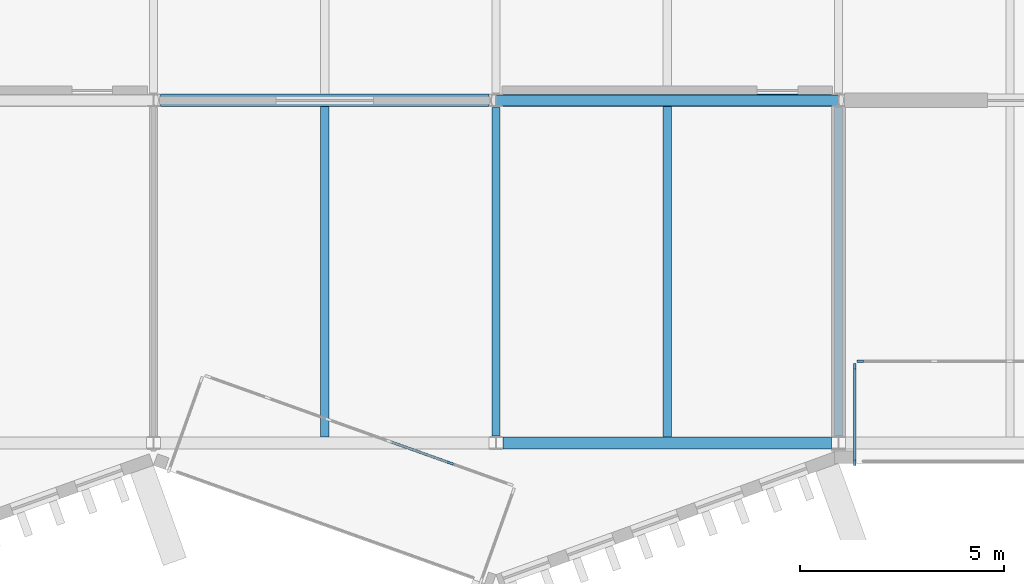
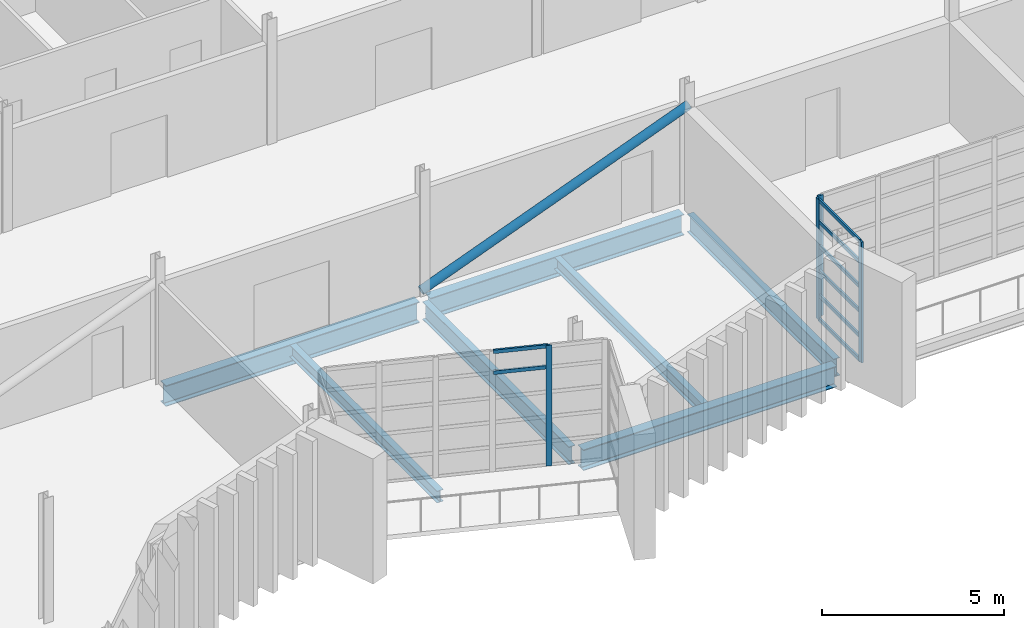
# One storey, part 27 of 100: 13 members, 7 beams, 3 elements without a shape of their own.
"""IFC4 building model written with IfcOpenShell, lengths in metres."""

from ifc_helpers import new_model, si_unit, direction, frame, origin, origin_2d, place, context, subcontext, project, spatial, rectangle, hollow_circle, i_section, extrude, material, layer, layer_set, material_profile, profile_set, type_object, element, aggregate, save


model = new_model("IFC4")

# Units and contexts
model_context = context("Model", 3, precision=1e-05, world=origin(), true_north=direction((0.0, 1.0)))
body_context = subcontext(model_context, "Body", "Model", "MODEL_VIEW")
ifc_project = project(units=[si_unit("LENGTHUNIT", "METRE"), si_unit("AREAUNIT", "SQUARE_METRE"), si_unit("VOLUMEUNIT", "CUBIC_METRE"), si_unit("PLANEANGLEUNIT", "RADIAN"), si_unit("MASSUNIT", "GRAM", prefix="KILO")], contexts=[model_context])

# Site, building, storey
site_placement = place(None, origin())
site = spatial("IfcSite", under=ifc_project, at=site_placement, CompositionType="ELEMENT")
building_placement = place(site_placement, origin())
building = spatial("IfcBuilding", under=site, at=building_placement, Name="Cresset Court Congress Hotel", CompositionType="ELEMENT")
storey_placement = place(building_placement, frame((0.0, 0.0, 10.199951171875)))
storey = spatial("IfcBuildingStorey", under=building, at=storey_placement, Name="L02", CompositionType="ELEMENT", Elevation=10.199951171875)

# Curtain wall, member
ifc_material_1 = material(Name="Aluminium frame with double glazing", Category="aluminium")
ifc_layer = layer(ifc_material_1, 0.199951171875)
ifc_layer_set = layer_set([ifc_layer], Name="Glazed box curtain wall 1680 module")
curtain_wall_type = type_object("IfcCurtainWallType", Name="Glazed box curtain wall 1680 module", PredefinedType="NOTDEFINED", material=ifc_layer_set)
curtain_wall_1_placement = place(storey_placement, origin())
curtain_wall_1 = element("IfcCurtainWall", 1, at=curtain_wall_1_placement, inside=storey, type_object=curtain_wall_type, Name="Glazed box S0219 front", PredefinedType="NOTDEFINED")
ifc_material_2 = material(Name="Aluminium", Category="aluminium")
ifc_material_profile_1 = material_profile(ifc_material_2, rectangle(XDim=0.06005859375, YDim=0.159912109375, at=origin_2d()), Name="Box mullion 60x160")
ifc_profile_set_1 = profile_set([ifc_material_profile_1], Name="Aluminium")
member_type_1 = type_object("IfcMemberType", Name="Box mullion 60x160", PredefinedType="MULLION", material=ifc_profile_set_1)
member_1_placement = place(storey_placement, frame((134.929931640625, 2.0, 0.0), z_axis=(0.0, 0.0, 1.0), x_axis=(0.0, 1.0, 0.0)))
member_1 = element("IfcMember", 2, at=member_1_placement, type_object=member_type_1, Name="B-X1 mullion 1", PredefinedType="MULLION", context=body_context, shape_type="SweptSolid", body=[
    extrude(rectangle(XDim=0.06005859375, YDim=0.159912109375, at=origin_2d()), origin(), (0.0, 0.0, 1.0), 4.050048828125),
])
aggregate(curtain_wall_1, [member_1])

# Curtain wall, members
curtain_wall_2_placement = place(storey_placement, origin())
curtain_wall_2 = element("IfcCurtainWall", 3, at=curtain_wall_2_placement, inside=storey, type_object=curtain_wall_type, Name="Glazed box S0219 side", PredefinedType="NOTDEFINED")
member_2_placement = place(storey_placement, frame((134.800048828125, -0.469970703125, 0.0), z_axis=(0.0, 0.0, 1.0), x_axis=(-1.0, 0.0, 0.0)))
member_2 = element("IfcMember", 4, at=member_2_placement, type_object=member_type_1, Name="B-X1 mullion 1", PredefinedType="MULLION", context=body_context, shape_type="SweptSolid", body=[
    extrude(rectangle(XDim=0.06005859375, YDim=0.159912109375, at=origin_2d()), origin(), (0.0, 0.0, 1.0), 4.050048828125),
])
member_3_placement = place(storey_placement, frame((134.800048828125, 1.8701171875, 0.0), z_axis=(0.0, 0.0, 1.0), x_axis=(-1.0, 0.0, 0.0)))
member_3 = element("IfcMember", 5, at=member_3_placement, type_object=member_type_1, Name="B-X1 mullion 2", PredefinedType="MULLION", context=body_context, shape_type="SweptSolid", body=[
    extrude(rectangle(XDim=0.06005859375, YDim=0.159912109375, at=origin_2d()), origin(), (0.0, 0.0, 1.0), 4.050048828125),
])

# Curtain wall, member
curtain_wall_3_placement = place(storey_placement, origin())
curtain_wall_3 = element("IfcCurtainWall", 6, at=curtain_wall_3_placement, inside=storey, type_object=curtain_wall_type, Name="Glazed box S0216 front", PredefinedType="NOTDEFINED")
member_4_placement = place(storey_placement, frame((124.87841796875, -0.49462890625, 0.0), z_axis=(0.0, 0.0, 1.0), x_axis=(0.336336396981, 0.941741911601, 0.0)))
member_4 = element("IfcMember", 7, at=member_4_placement, type_object=member_type_1, Name="B-X1 mullion 5", PredefinedType="MULLION", context=body_context, shape_type="SweptSolid", body=[
    extrude(rectangle(XDim=0.06005859375, YDim=0.159912109375, at=origin_2d()), origin(), (0.0, 0.0, 1.0), 4.050048828125),
])

# Member
ifc_material_3 = material(Name="Aluminium", Category="aluminium")
ifc_material_profile_2 = material_profile(ifc_material_3, rectangle(XDim=0.06005859375, YDim=0.1201171875, at=origin_2d()), Name="Box transom 60x120")
ifc_profile_set_2 = profile_set([ifc_material_profile_2], Name="Aluminium")
member_type_2 = type_object("IfcMemberType", Name="Box transom 60x120", PredefinedType="USERDEFINED", material=ifc_profile_set_2)
member_5_placement = place(storey_placement, frame((134.800048828125, -0.43994140625, 0.030029296875), z_axis=(0.0, 1.0, 0.0), x_axis=(-1.0, 0.0, 0.0)))
member_5 = element("IfcMember", 8, at=member_5_placement, type_object=member_type_2, Name="B-X1 transom 1.1", ObjectType="TRANSOM", PredefinedType="USERDEFINED", context=body_context, shape_type="SweptSolid", body=[
    extrude(rectangle(XDim=0.06005859375, YDim=0.1201171875, at=origin_2d()), origin(), (0.0, 0.0, 1.0), 2.280029296875),
])

member_6_placement = place(storey_placement, frame((134.800048828125, -0.43994140625, 0.830078125), z_axis=(0.0, 1.0, 0.0), x_axis=(-1.0, 0.0, 0.0)))
member_6 = element("IfcMember", 9, at=member_6_placement, type_object=member_type_2, Name="B-X1 transom 1.2", ObjectType="TRANSOM", PredefinedType="USERDEFINED", context=body_context, shape_type="SweptSolid", body=[
    extrude(rectangle(XDim=0.06005859375, YDim=0.1201171875, at=origin_2d()), origin(), (0.0, 0.0, 1.0), 2.280029296875),
])

member_7_placement = place(storey_placement, frame((134.800048828125, -0.43994140625, 1.66015625), z_axis=(0.0, 1.0, 0.0), x_axis=(-1.0, 0.0, 0.0)))
member_7 = element("IfcMember", 10, at=member_7_placement, type_object=member_type_2, Name="B-X1 transom 1.3", ObjectType="TRANSOM", PredefinedType="USERDEFINED", context=body_context, shape_type="SweptSolid", body=[
    extrude(rectangle(XDim=0.06005859375, YDim=0.1201171875, at=origin_2d()), origin(), (0.0, 0.0, 1.0), 2.280029296875),
])

member_8_placement = place(storey_placement, frame((134.800048828125, -0.43994140625, 2.489990234375), z_axis=(0.0, 1.0, 0.0), x_axis=(-1.0, 0.0, 0.0)))
member_8 = element("IfcMember", 11, at=member_8_placement, type_object=member_type_2, Name="B-X1 transom 1.4", ObjectType="TRANSOM", PredefinedType="USERDEFINED", context=body_context, shape_type="SweptSolid", body=[
    extrude(rectangle(XDim=0.06005859375, YDim=0.1201171875, at=origin_2d()), origin(), (0.0, 0.0, 1.0), 2.280029296875),
])

member_9_placement = place(storey_placement, frame((134.800048828125, -0.43994140625, 3.320068359375), z_axis=(0.0, 1.0, 0.0), x_axis=(-1.0, 0.0, 0.0)))
member_9 = element("IfcMember", 12, at=member_9_placement, type_object=member_type_2, Name="B-X1 transom 1.5", ObjectType="TRANSOM", PredefinedType="USERDEFINED", context=body_context, shape_type="SweptSolid", body=[
    extrude(rectangle(XDim=0.06005859375, YDim=0.1201171875, at=origin_2d()), origin(), (0.0, 0.0, 1.0), 2.280029296875),
])

member_10_placement = place(storey_placement, frame((134.800048828125, -0.43994140625, 4.02001953125), z_axis=(0.0, 1.0, 0.0), x_axis=(-1.0, 0.0, 0.0)))
member_10 = element("IfcMember", 13, at=member_10_placement, type_object=member_type_2, Name="B-X1 transom 1.6", ObjectType="TRANSOM", PredefinedType="USERDEFINED", context=body_context, shape_type="SweptSolid", body=[
    extrude(rectangle(XDim=0.06005859375, YDim=0.1201171875, at=origin_2d()), origin(), (0.0, 0.0, 1.0), 2.280029296875),
])

aggregate(curtain_wall_2, [member_2, member_3, member_5, member_6, member_7, member_8, member_9, member_10])

member_11_placement = place(storey_placement, frame((123.4150390625, 0.02783203125, 3.320068359375), z_axis=(0.941756410009, -0.336295798675, 0.0), x_axis=(0.336295798675, 0.941756410009, 0.0)))
member_11 = element("IfcMember", 14, at=member_11_placement, type_object=member_type_2, Name="B-X1 transom 4.5", ObjectType="TRANSOM", PredefinedType="USERDEFINED", context=body_context, shape_type="SweptSolid", body=[
    extrude(rectangle(XDim=0.06005859375, YDim=0.1201171875, at=origin_2d()), origin(), (0.0, 0.0, 1.0), 1.52392578125),
])

member_12_placement = place(storey_placement, frame((123.4150390625, 0.02783203125, 4.02001953125), z_axis=(0.941756410009, -0.336295798675, 0.0), x_axis=(0.336295798675, 0.941756410009, 0.0)))
member_12 = element("IfcMember", 15, at=member_12_placement, type_object=member_type_2, Name="B-X1 transom 4.6", ObjectType="TRANSOM", PredefinedType="USERDEFINED", context=body_context, shape_type="SweptSolid", body=[
    extrude(rectangle(XDim=0.06005859375, YDim=0.1201171875, at=origin_2d()), origin(), (0.0, 0.0, 1.0), 1.52392578125),
])

aggregate(curtain_wall_3, [member_4, member_11, member_12])

# Beams
ifc_material_4 = material(Name="Structural steel Q355B", Category="steel")
ifc_material_profile_3 = material_profile(ifc_material_4, i_section(OverallWidth=0.199951171875, OverallDepth=0.60009765625, WebThickness=0.010986328125, FlangeThickness=0.01708984375, FilletRadius=0.012939453125, at=origin_2d()), Name="HN600x200x11x17")
ifc_profile_set_3 = profile_set([ifc_material_profile_3], Name="Structural steel Q355B")
beam_type_1 = type_object("IfcBeamType", Name="Steel beam HN600x200x11x17", PredefinedType="BEAM", material=ifc_profile_set_3)
for number, where, z_axis, x_axis, name in (
    (16, (126.0, 0.175048828125, -0.449951171875), (0.0, 1.0, 0.0), (-1.0, 0.0, 0.0), "B.by.L02.16A"),
    (17, (134.39990234375, 0.175048828125, -0.449951171875), (0.0, 1.0, 0.0), (-1.0, 0.0, 0.0), "B.by.L02.17A"),
):
    element("IfcBeam", number, at=place(storey_placement, frame(where, z_axis=z_axis, x_axis=x_axis)), inside=storey, type_object=beam_type_1, Name=name, PredefinedType="BEAM", context=body_context, shape_type="SweptSolid", body=[
        extrude(i_section(OverallWidth=0.199951171875, OverallDepth=0.60009765625, WebThickness=0.010986328125, FlangeThickness=0.01708984375, FilletRadius=0.012939453125, at=origin_2d()), origin(), (0.0, 0.0, 1.0), 8.050048828125),
    ])
ifc_material_5 = material(Name="Structural steel Q355B", Category="steel")
ifc_material_profile_4 = material_profile(ifc_material_5, i_section(OverallWidth=0.300048828125, OverallDepth=0.699951171875, WebThickness=0.012939453125, FlangeThickness=0.02392578125, FilletRadius=0.01806640625, at=origin_2d()), Name="HN700x300x13x24")
ifc_profile_set_4 = profile_set([ifc_material_profile_4], Name="Structural steel Q355B")
beam_type_2 = type_object("IfcBeamType", Name="Steel beam HN700x300x13x24", PredefinedType="BEAM", material=ifc_profile_set_4)
for number, where, z_axis, x_axis, name in (
    (18, (126.175048828125, 0.0, -0.5), (1.0, 0.0, 0.0), (0.0, 1.0, 0.0), "B.bx.L02.A16"),
    (19, (117.77490234375, 8.39990234375, -0.5), (1.0, 0.0, 0.0), (0.0, 1.0, 0.0), "B.bx.L02.B15"),
    (20, (126.175048828125, 8.39990234375, -0.5), (1.0, 0.0, 0.0), (0.0, 1.0, 0.0), "B.bx.L02.B16"),
):
    element("IfcBeam", number, at=place(storey_placement, frame(where, z_axis=z_axis, x_axis=x_axis)), inside=storey, type_object=beam_type_2, Name=name, PredefinedType="BEAM", context=body_context, shape_type="SweptSolid", body=[
        extrude(i_section(OverallWidth=0.300048828125, OverallDepth=0.699951171875, WebThickness=0.012939453125, FlangeThickness=0.02392578125, FilletRadius=0.01806640625, at=origin_2d()), origin(), (0.0, 0.0, 1.0), 8.050048828125),
    ])

# Member
ifc_material_6 = material(Name="Structural steel Q355B", Category="steel")
ifc_material_profile_5 = material_profile(ifc_material_6, hollow_circle(Radius=0.136474609375, WallThickness=0.011962890625, at=origin_2d()), Name="CHS273x12")
ifc_profile_set_5 = profile_set([ifc_material_profile_5], Name="Structural steel Q355B")
member_type_3 = type_object("IfcMemberType", Name="Steel brace CHS273x12", PredefinedType="BRACE", material=ifc_profile_set_5)
member_13_placement = place(storey_placement, frame((125.949951171875, 8.39990234375, 0.10009765625), z_axis=(0.933684557266, 0.0, 0.35809656173), x_axis=(0.0, 1.0, 0.0)))
element("IfcMember", 21, at=member_13_placement, inside=storey, type_object=member_type_3, Name="Brace L02 16", PredefinedType="BRACE", context=body_context, shape_type="SweptSolid", body=[
    extrude(hollow_circle(Radius=0.136474609375, WallThickness=0.011962890625, at=origin_2d()), origin(), (0.0, 0.0, 1.0), 9.103759765625),
])

# Beams
ifc_material_7 = material(Name="Structural steel Q355B", Category="steel")
ifc_material_profile_6 = material_profile(ifc_material_7, i_section(OverallWidth=0.199951171875, OverallDepth=0.39990234375, WebThickness=0.008056640625, FlangeThickness=0.012939453125, FilletRadius=0.01611328125, at=origin_2d()), Name="HN400x200x8x13")
ifc_profile_set_6 = profile_set([ifc_material_profile_6], Name="Structural steel Q355B")
beam_type_3 = type_object("IfcBeamType", Name="Steel joist HN400x200x8x13", PredefinedType="JOIST", material=ifc_profile_set_6)
for number, where, z_axis, x_axis, name in (
    (22, (121.800048828125, 0.14990234375, -0.349853515625), (0.0, 1.0, 0.0), (-1.0, 0.0, 0.0), "B.bj.L02.15A"),
    (23, (130.199951171875, 0.14990234375, -0.349853515625), (0.0, 1.0, 0.0), (-1.0, 0.0, 0.0), "B.bj.L02.16A"),
):
    element("IfcBeam", number, at=place(storey_placement, frame(where, z_axis=z_axis, x_axis=x_axis)), inside=storey, type_object=beam_type_3, Name=name, PredefinedType="JOIST", context=body_context, shape_type="SweptSolid", body=[
        extrude(i_section(OverallWidth=0.199951171875, OverallDepth=0.39990234375, WebThickness=0.008056640625, FlangeThickness=0.012939453125, FilletRadius=0.01611328125, at=origin_2d()), origin(), (0.0, 0.0, 1.0), 8.10009765625),
    ])

save(model, "model.ifc")
